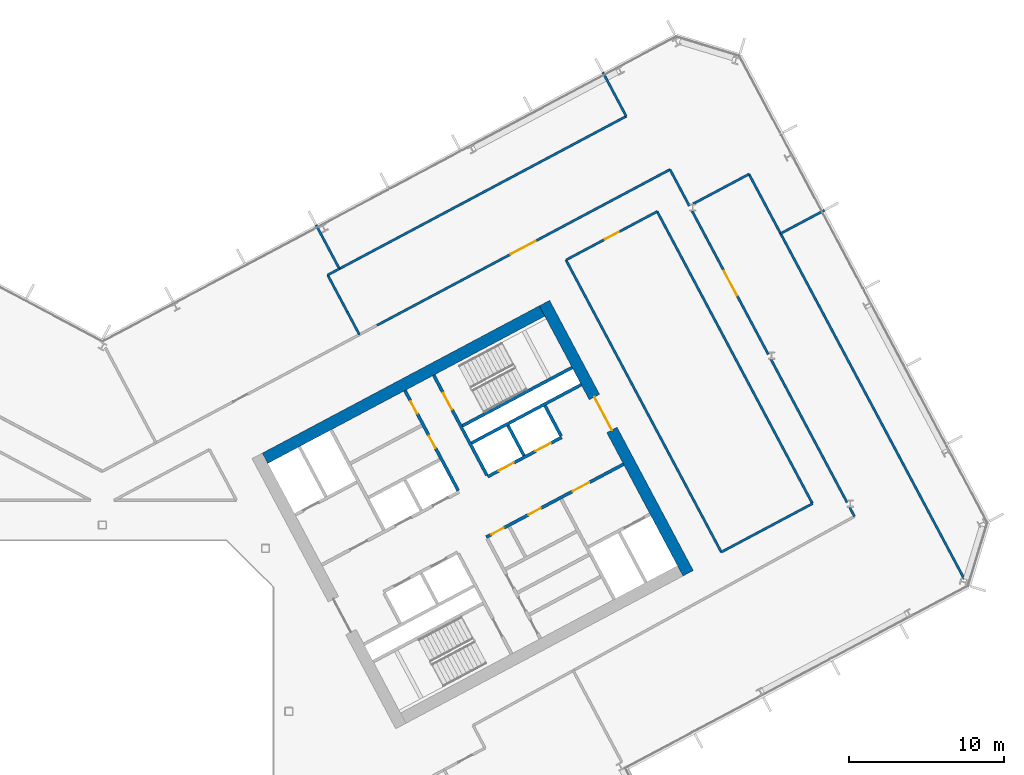
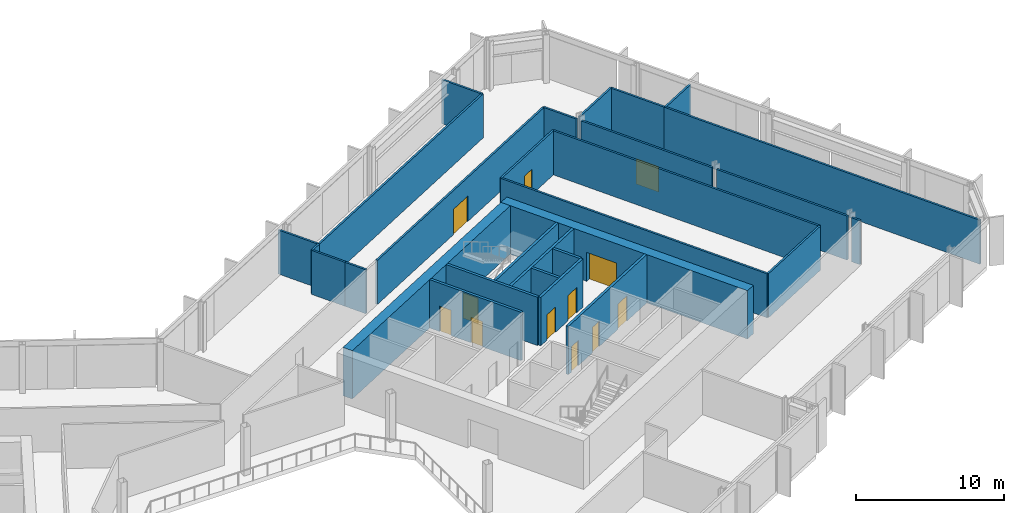
# One storey, part 17 of 28: 29 walls, 12 doors, 12 openings.
"""IFC4 building model written with IfcOpenShell, lengths in metres."""

from ifc_helpers import new_model, si_unit, direction, frame, frame_2d, origin, place, context, subcontext, project, spatial, rectangle, extrude, material, layer, layer_set, type_object, element, fill, save


model = new_model("IFC4")

# Units and contexts
model_context = context("Model", 3, precision=1e-05, world=origin(), true_north=direction((0.0, 1.0)))
body_context = subcontext(model_context, "Body", "Model", "MODEL_VIEW")
ifc_project = project(units=[si_unit("LENGTHUNIT", "METRE"), si_unit("AREAUNIT", "SQUARE_METRE"), si_unit("VOLUMEUNIT", "CUBIC_METRE"), si_unit("PLANEANGLEUNIT", "RADIAN"), si_unit("MASSUNIT", "GRAM", prefix="KILO")], contexts=[model_context])

# Site, building, storey
site_placement = place(None, origin())
site = spatial("IfcSite", under=ifc_project, at=site_placement, CompositionType="ELEMENT")
building_placement = place(site_placement, origin())
building = spatial("IfcBuilding", under=site, at=building_placement, Name="Cormorant Relay Tower", CompositionType="ELEMENT")
storey_placement = place(building_placement, frame((0.0, 0.0, 170.199951171875)))
storey = spatial("IfcBuildingStorey", under=building, at=storey_placement, Name="L36", CompositionType="ELEMENT", Elevation=170.199951171875)

# Wall
ifc_material_1 = material(Name="Concrete 40 MPa", Category="concrete")
ifc_layer_1 = layer(ifc_material_1, 0.199951171875)
ifc_layer_set_1 = layer_set([ifc_layer_1], Name="Core internal wall 200")
wall_type_1 = type_object("IfcWallType", Name="Core internal wall 200", PredefinedType="SOLIDWALL", material=ifc_layer_set_1)
wall_1_placement = place(storey_placement, frame((27.144287109375, 16.471435546875, 0.0), z_axis=(0.0, 0.0, 1.0), x_axis=(-0.469401318492, 0.882984938828, 0.0)))
element("IfcWall", 1, at=wall_1_placement, inside=storey, type_object=wall_type_1, Name="L36 core B shaft and room wall", PredefinedType="SOLIDWALL", context=body_context, shape_type="SweptSolid", body=[
    extrude(rectangle(XDim=2.199951171875, YDim=0.199951171875, at=frame_2d((1.10009765625, 0.0))), origin(), (0.0, 0.0, 1.0), 4.0),
])

# Wall, openings, doors
ifc_material_2 = material(Name="Concrete 50 MPa", Category="concrete")
ifc_layer_2 = layer(ifc_material_2, 0.199951171875)
ifc_layer_set_2 = layer_set([ifc_layer_2], Name="Core shaft wall 200")
wall_type_2 = type_object("IfcWallType", Name="Core shaft wall 200", PredefinedType="SHEAR", material=ifc_layer_set_2)
wall_2_placement = place(storey_placement, frame((22.90625, 14.218017578125, 0.0), z_axis=(0.0, 0.0, 1.0), x_axis=(-0.469480409012, 0.88294288918, 0.0)))
wall_2 = element("IfcWall", 2, at=wall_2_placement, inside=storey, type_object=wall_type_2, Name="L36 core B shaft wall", PredefinedType="SHEAR", context=body_context, shape_type="SweptSolid", body=[
    extrude(rectangle(XDim=7.300048828125, YDim=0.199951171875, at=frame_2d((3.64990234375, 0.0))), origin(), (0.0, 0.0, 1.0), 4.0),
])
opening_1_placement = place(wall_2_placement, frame((3.10009765625, 0.0, 0.0)))
opening_1 = element("IfcOpeningElement", 3, at=opening_1_placement, cuts=wall_2, Name="Opening CDD-215", PredefinedType="OPENING", context=body_context, shape_type="SweptSolid", body=[
    extrude(rectangle(XDim=0.89990234375, YDim=2.10009765625, at=frame_2d((0.449951171875, 1.050048828125))), frame((0.0, 0.10986328125, 0.0), z_axis=(0.0, -1.0, 0.0), x_axis=(1.0, 0.0, 0.0)), (0.0, 0.0, 1.0), 0.219970703125),
])
opening_2_placement = place(wall_2_placement, frame((5.60009765625, 0.0, 0.0)))
opening_2 = element("IfcOpeningElement", 4, at=opening_2_placement, cuts=wall_2, Name="Opening CDD-216", PredefinedType="OPENING", context=body_context, shape_type="SweptSolid", body=[
    extrude(rectangle(XDim=0.89990234375, YDim=2.10009765625, at=frame_2d((0.449951171875, 1.050048828125))), frame((0.0, 0.10986328125, 0.0), z_axis=(0.0, -1.0, 0.0), x_axis=(1.0, 0.0, 0.0)), (0.0, 0.0, 1.0), 0.219970703125),
])
ifc_material_3 = material(Name="Steel fire door", Category="steel")
door_type_1 = type_object("IfcDoorType", Name="Core room door 900x2100", OperationType="SINGLE_SWING_LEFT", PredefinedType="DOOR", material=ifc_material_3)
door_1_placement = place(opening_1_placement, origin())
door_1 = element("IfcDoor", 5, at=door_1_placement, inside=storey, type_object=door_type_1, Name="Core room door 900x2100", OperationType="SINGLE_SWING_RIGHT", OverallHeight=2.10009765625, OverallWidth=0.89990234375, PredefinedType="DOOR", context=body_context, shape_type="SweptSolid", body=[
    extrude(rectangle(XDim=0.89990234375, YDim=2.10009765625, at=frame_2d((0.449951171875, 1.050048828125))), frame((0.0, 0.02490234375, 0.0), z_axis=(0.0, -1.0, 0.0), x_axis=(1.0, 0.0, 0.0)), (0.0, 0.0, 1.0), 0.050048828125),
])
fill(opening_1, door_1)
door_2_placement = place(opening_2_placement, origin())
door_2 = element("IfcDoor", 6, at=door_2_placement, inside=storey, type_object=door_type_1, Name="Core room door 900x2100", OperationType="SINGLE_SWING_LEFT", OverallHeight=2.10009765625, OverallWidth=0.89990234375, PredefinedType="DOOR", context=body_context, shape_type="SweptSolid", body=[
    extrude(rectangle(XDim=0.89990234375, YDim=2.10009765625, at=frame_2d((0.449951171875, 1.050048828125))), frame((0.0, 0.02490234375, 0.0), z_axis=(0.0, -1.0, 0.0), x_axis=(1.0, 0.0, 0.0)), (0.0, 0.0, 1.0), 0.050048828125),
])
fill(opening_2, door_2)

# Wall, opening, door
wall_3_placement = place(storey_placement, frame((24.760498046875, 15.2041015625, 0.0), z_axis=(0.0, 0.0, 1.0), x_axis=(-0.469494272526, 0.882935517501, 0.0)))
wall_3 = element("IfcWall", 7, at=wall_3_placement, inside=storey, type_object=wall_type_2, Name="L36 core B shaft wall", PredefinedType="SHEAR", context=body_context, shape_type="SweptSolid", body=[
    extrude(rectangle(XDim=7.2998046875, YDim=0.199951171875, at=frame_2d((3.64990234375, 0.0))), origin(), (0.0, 0.0, 1.0), 4.0),
])
opening_3_placement = place(wall_3_placement, frame((4.800048828125, 0.0, 0.0)))
opening_3 = element("IfcOpeningElement", 8, at=opening_3_placement, cuts=wall_3, Name="Opening CDB-037", PredefinedType="OPENING", context=body_context, shape_type="SweptSolid", body=[
    extrude(rectangle(XDim=1.199951171875, YDim=2.10009765625, at=frame_2d((0.60009765625, 1.050048828125))), frame((0.0, 0.10986328125, 0.0), z_axis=(0.0, -1.0, 0.0), x_axis=(1.0, 0.0, 0.0)), (0.0, 0.0, 1.0), 0.219970703125),
])
ifc_material_4 = material(Name="Steel fire door", Category="steel")
door_type_2 = type_object("IfcDoorType", Name="Core stair door 1200x2100", OperationType="SINGLE_SWING_LEFT", PredefinedType="DOOR", material=ifc_material_4)
door_3_placement = place(opening_3_placement, frame((1.199951171875, 0.0, 0.0), z_axis=(0.0, 0.0, 1.0), x_axis=(-1.0, 0.0, 0.0)))
door_3 = element("IfcDoor", 9, at=door_3_placement, inside=storey, type_object=door_type_2, Name="Core stair door 1200x2100", OperationType="SINGLE_SWING_RIGHT", OverallHeight=2.10009765625, OverallWidth=1.199951171875, PredefinedType="DOOR", context=body_context, shape_type="SweptSolid", body=[
    extrude(rectangle(XDim=1.199951171875, YDim=2.10009765625, at=frame_2d((0.60009765625, 1.050048828125))), frame((0.0, 0.02490234375, 0.0), z_axis=(0.0, -1.0, 0.0), x_axis=(1.0, 0.0, 0.0)), (0.0, 0.0, 1.0), 0.050048828125),
])
fill(opening_3, door_3)

# Wall
wall_4_placement = place(storey_placement, frame((29.5283203125, 17.739013671875, 0.0), z_axis=(0.0, 0.0, 1.0), x_axis=(-0.469401318492, 0.882984938828, 0.0)))
element("IfcWall", 10, at=wall_4_placement, inside=storey, type_object=wall_type_2, Name="L36 core B shaft wall", PredefinedType="SHEAR", context=body_context, shape_type="SweptSolid", body=[
    extrude(rectangle(XDim=2.199951171875, YDim=0.199951171875, at=frame_2d((1.10009765625, 0.0))), origin(), (0.0, 0.0, 1.0), 4.0),
])

# Wall, openings, doors
wall_5_placement = place(storey_placement, frame((24.72607421875, 11.2216796875, 0.0), z_axis=(0.0, 0.0, 1.0), x_axis=(0.882940221191, 0.469485426614, 0.0)))
wall_5 = element("IfcWall", 11, at=wall_5_placement, inside=storey, type_object=wall_type_2, Name="L36 core B shaft wall", PredefinedType="SHEAR", context=body_context, shape_type="SweptSolid", body=[
    extrude(rectangle(XDim=10.0, YDim=0.199951171875, at=frame_2d((5.0, 0.0))), origin(), (0.0, 0.0, 1.0), 4.0),
])
opening_4_placement = place(wall_5_placement, frame((6.300048828125, 0.0, 0.0)))
opening_4 = element("IfcOpeningElement", 12, at=opening_4_placement, cuts=wall_5, Name="Opening CDC-030", PredefinedType="OPENING", context=body_context, shape_type="SweptSolid", body=[
    extrude(rectangle(XDim=1.199951171875, YDim=2.10009765625, at=frame_2d((0.60009765625, 1.050048828125))), frame((0.0, 0.10986328125, 0.0), z_axis=(0.0, -1.0, 0.0), x_axis=(1.0, 0.0, 0.0)), (0.0, 0.0, 1.0), 0.219970703125),
])
opening_5_placement = place(wall_5_placement, frame((0.360107421875, 0.0, 0.0)))
opening_5 = element("IfcOpeningElement", 13, at=opening_5_placement, cuts=wall_5, Name="Opening CDD-213", PredefinedType="OPENING", context=body_context, shape_type="SweptSolid", body=[
    extrude(rectangle(XDim=0.89990234375, YDim=2.10009765625, at=frame_2d((0.449951171875, 1.050048828125))), frame((0.0, 0.10986328125, 0.0), z_axis=(0.0, -1.0, 0.0), x_axis=(1.0, 0.0, 0.0)), (0.0, 0.0, 1.0), 0.219970703125),
])
opening_6_placement = place(wall_5_placement, frame((3.06005859375, 0.0, 0.0)))
opening_6 = element("IfcOpeningElement", 14, at=opening_6_placement, cuts=wall_5, Name="Opening CDD-214", PredefinedType="OPENING", context=body_context, shape_type="SweptSolid", body=[
    extrude(rectangle(XDim=0.89990234375, YDim=2.10009765625, at=frame_2d((0.449951171875, 1.050048828125))), frame((0.0, 0.10986328125, 0.0), z_axis=(0.0, -1.0, 0.0), x_axis=(1.0, 0.0, 0.0)), (0.0, 0.0, 1.0), 0.219970703125),
])
ifc_material_5 = material(Name="Steel fire door", Category="steel")
door_type_3 = type_object("IfcDoorType", Name="Core lobby door 1200x2100", OperationType="SINGLE_SWING_LEFT", PredefinedType="DOOR", material=ifc_material_5)
door_4_placement = place(opening_4_placement, origin())
door_4 = element("IfcDoor", 15, at=door_4_placement, inside=storey, type_object=door_type_3, Name="Core lobby door 1200x2100", OperationType="SINGLE_SWING_LEFT", OverallHeight=2.10009765625, OverallWidth=1.199951171875, PredefinedType="DOOR", context=body_context, shape_type="SweptSolid", body=[
    extrude(rectangle(XDim=1.199951171875, YDim=2.10009765625, at=frame_2d((0.60009765625, 1.050048828125))), frame((0.0, 0.02490234375, 0.0), z_axis=(0.0, -1.0, 0.0), x_axis=(1.0, 0.0, 0.0)), (0.0, 0.0, 1.0), 0.050048828125),
])
fill(opening_4, door_4)
door_5_placement = place(opening_5_placement, origin())
door_5 = element("IfcDoor", 16, at=door_5_placement, inside=storey, type_object=door_type_1, Name="Core room door 900x2100", OperationType="SINGLE_SWING_LEFT", OverallHeight=2.10009765625, OverallWidth=0.89990234375, PredefinedType="DOOR", context=body_context, shape_type="SweptSolid", body=[
    extrude(rectangle(XDim=0.89990234375, YDim=2.10009765625, at=frame_2d((0.449951171875, 1.050048828125))), frame((0.0, 0.02490234375, 0.0), z_axis=(0.0, -1.0, 0.0), x_axis=(1.0, 0.0, 0.0)), (0.0, 0.0, 1.0), 0.050048828125),
])
fill(opening_5, door_5)
door_6_placement = place(opening_6_placement, origin())
door_6 = element("IfcDoor", 17, at=door_6_placement, inside=storey, type_object=door_type_1, Name="Core room door 900x2100", OperationType="SINGLE_SWING_LEFT", OverallHeight=2.10009765625, OverallWidth=0.89990234375, PredefinedType="DOOR", context=body_context, shape_type="SweptSolid", body=[
    extrude(rectangle(XDim=0.89990234375, YDim=2.10009765625, at=frame_2d((0.449951171875, 1.050048828125))), frame((0.0, 0.02490234375, 0.0), z_axis=(0.0, -1.0, 0.0), x_axis=(1.0, 0.0, 0.0)), (0.0, 0.0, 1.0), 0.050048828125),
])
fill(opening_6, door_6)

wall_6_placement = place(storey_placement, frame((24.807373046875, 15.11572265625, 0.0), z_axis=(0.0, 0.0, 1.0), x_axis=(0.882942972946, 0.469480251476, 0.0)))
wall_6 = element("IfcWall", 18, at=wall_6_placement, inside=storey, type_object=wall_type_2, Name="L36 core B shaft wall", PredefinedType="SHEAR", context=body_context, shape_type="SweptSolid", body=[
    extrude(rectangle(XDim=5.39990234375, YDim=0.199951171875, at=frame_2d((2.699951171875, 0.0))), origin(), (0.0, 0.0, 1.0), 4.0),
])
opening_7_placement = place(wall_6_placement, frame((0.800048828125, 0.0, 0.0)))
opening_7 = element("IfcOpeningElement", 19, at=opening_7_placement, cuts=wall_6, Name="Opening LD1-046", PredefinedType="OPENING", context=body_context, shape_type="SweptSolid", body=[
    extrude(rectangle(XDim=1.10009765625, YDim=2.10009765625, at=frame_2d((0.550048828125, 1.050048828125))), frame((0.0, 0.10986328125, 0.0), z_axis=(0.0, -1.0, 0.0), x_axis=(1.0, 0.0, 0.0)), (0.0, 0.0, 1.0), 0.219970703125),
])
opening_8_placement = place(wall_6_placement, frame((3.5, 0.0, 0.0)))
opening_8 = element("IfcOpeningElement", 20, at=opening_8_placement, cuts=wall_6, Name="Opening LD1-047", PredefinedType="OPENING", context=body_context, shape_type="SweptSolid", body=[
    extrude(rectangle(XDim=1.10009765625, YDim=2.10009765625, at=frame_2d((0.550048828125, 1.050048828125))), frame((0.0, 0.10986328125, 0.0), z_axis=(0.0, -1.0, 0.0), x_axis=(1.0, 0.0, 0.0)), (0.0, 0.0, 1.0), 0.219970703125),
])
ifc_material_6 = material(Name="Stainless steel 316", Category="steel")
door_type_4 = type_object("IfcDoorType", Name="Lift landing door 1100x2100", OperationType="DOUBLE_DOOR_SLIDING", PredefinedType="DOOR", material=ifc_material_6)
door_7_placement = place(opening_7_placement, origin())
door_7 = element("IfcDoor", 21, at=door_7_placement, inside=storey, type_object=door_type_4, Name="LR3 landing door", OperationType="DOUBLE_DOOR_SLIDING", OverallHeight=2.10009765625, OverallWidth=1.10009765625, PredefinedType="DOOR", context=body_context, shape_type="SweptSolid", body=[
    extrude(rectangle(XDim=1.10009765625, YDim=2.10009765625, at=frame_2d((0.550048828125, 1.050048828125))), frame((0.0, 0.02490234375, 0.0), z_axis=(0.0, -1.0, 0.0), x_axis=(1.0, 0.0, 0.0)), (0.0, 0.0, 1.0), 0.050048828125),
])
fill(opening_7, door_7)
door_8_placement = place(opening_8_placement, origin())
door_8 = element("IfcDoor", 22, at=door_8_placement, inside=storey, type_object=door_type_4, Name="LR4 landing door", OperationType="DOUBLE_DOOR_SLIDING", OverallHeight=2.10009765625, OverallWidth=1.10009765625, PredefinedType="DOOR", context=body_context, shape_type="SweptSolid", body=[
    extrude(rectangle(XDim=1.10009765625, YDim=2.10009765625, at=frame_2d((0.550048828125, 1.050048828125))), frame((0.0, 0.02490234375, 0.0), z_axis=(0.0, -1.0, 0.0), x_axis=(1.0, 0.0, 0.0)), (0.0, 0.0, 1.0), 0.050048828125),
])
fill(opening_8, door_8)

# Walls
wall_7_placement = place(storey_placement, frame((23.76904296875, 17.28173828125, 0.0), z_axis=(0.0, 0.0, 1.0), x_axis=(0.882940221191, 0.469485426614, 0.0)))
element("IfcWall", 23, at=wall_7_placement, inside=storey, type_object=wall_type_2, Name="L36 core B shaft wall", PredefinedType="SHEAR", context=body_context, shape_type="SweptSolid", body=[
    extrude(rectangle(XDim=8.0, YDim=0.199951171875, at=frame_2d((4.0, 0.0))), origin(), (0.0, 0.0, 1.0), 4.0),
])
wall_8_placement = place(storey_placement, frame((23.18212890625, 18.385498046875, 0.0), z_axis=(0.0, 0.0, 1.0), x_axis=(0.88295287151, 0.469461634952, 0.0)))
element("IfcWall", 24, at=wall_8_placement, inside=storey, type_object=wall_type_2, Name="L36 core B shaft wall", PredefinedType="SHEAR", context=body_context, shape_type="SweptSolid", body=[
    extrude(rectangle(XDim=7.999755859375, YDim=0.199951171875, at=frame_2d((4.0, 0.0))), origin(), (0.0, 0.0, 1.0), 4.0),
])

# Wall, opening, door
ifc_material_7 = material(Name="Concrete 60 MPa", Category="concrete")
ifc_layer_3 = layer(ifc_material_7, 0.75)
ifc_layer_set_3 = layer_set([ifc_layer_3], Name="Core wall 750")
wall_type_3 = type_object("IfcWallType", Name="Core wall 750", PredefinedType="SHEAR", material=ifc_layer_set_3)
wall_9_placement = place(storey_placement, frame((37.712646484375, 8.896484375, 0.0), z_axis=(0.0, 0.0, 1.0), x_axis=(-0.469469918705, 0.88294846703, 0.0)))
wall_9 = element("IfcWall", 25, at=wall_9_placement, inside=storey, type_object=wall_type_3, Name="L36 core B wall", PredefinedType="SHEAR", context=body_context, shape_type="SweptSolid", body=[
    extrude(rectangle(XDim=19.699951171875, YDim=0.75, at=frame_2d((9.85009765625, 0.0))), origin(), (0.0, 0.0, 1.0), 4.0),
])
opening_9_placement = place(wall_9_placement, frame((10.449951171875, 0.0, 0.0)))
opening_9 = element("IfcOpeningElement", 26, at=opening_9_placement, cuts=wall_9, Name="Opening CDA-029", PredefinedType="OPENING", context=body_context, shape_type="SweptSolid", body=[
    extrude(rectangle(XDim=2.39990234375, YDim=2.39990234375, at=frame_2d((1.199951171875, 1.199951171875))), frame((0.0, 0.385009765625, 0.0), z_axis=(0.0, -1.0, 0.0), x_axis=(1.0, 0.0, 0.0)), (0.0, 0.0, 1.0), 0.77001953125),
])
ifc_material_8 = material(Name="Steel fire door", Category="steel")
door_type_5 = type_object("IfcDoorType", Name="Core lobby door 2400x2400", OperationType="DOUBLE_DOOR_SINGLE_SWING", PredefinedType="DOOR", material=ifc_material_8)
door_9_placement = place(opening_9_placement, origin())
door_9 = element("IfcDoor", 27, at=door_9_placement, inside=storey, type_object=door_type_5, Name="Core lobby door 2400x2400", OperationType="DOUBLE_DOOR_SINGLE_SWING", OverallHeight=2.39990234375, OverallWidth=2.39990234375, PredefinedType="DOOR", context=body_context, shape_type="SweptSolid", body=[
    extrude(rectangle(XDim=2.39990234375, YDim=2.39990234375, at=frame_2d((1.199951171875, 1.199951171875))), frame((0.0, 0.02490234375, 0.0), z_axis=(0.0, -1.0, 0.0), x_axis=(1.0, 0.0, 0.0)), (0.0, 0.0, 1.0), 0.050048828125),
])
fill(opening_9, door_9)

# Walls
wall_10_placement = place(storey_placement, frame((10.4736328125, 16.300048828125, 0.0), z_axis=(0.0, 0.0, 1.0), x_axis=(0.88295010195, 0.469466843842, 0.0)))
element("IfcWall", 28, at=wall_10_placement, inside=storey, type_object=wall_type_3, Name="L36 core B wall", PredefinedType="SHEAR", context=body_context, shape_type="SweptSolid", body=[
    extrude(rectangle(XDim=20.199951171875, YDim=0.75, at=frame_2d((10.10009765625, 0.0))), origin(), (0.0, 0.0, 1.0), 4.0),
])
ifc_material_9 = material(Name="Gypsum board fire partition")
ifc_layer_4 = layer(ifc_material_9, 0.14990234375)
ifc_layer_set_4 = layer_set([ifc_layer_4], Name="Corridor partition 150 EI 60")
wall_type_4 = type_object("IfcWallType", Name="Corridor partition 150 EI 60", PredefinedType="PARTITIONING", material=ifc_layer_set_4)
wall_11_placement = place(storey_placement, frame((37.7890625, 32.555908203125, 0.0), z_axis=(0.0, 0.0, 1.0), x_axis=(-0.469764435481, 0.882791807369, 0.0)))
element("IfcWall", 29, at=wall_11_placement, inside=storey, type_object=wall_type_4, Name="wall/L36/part/062", PredefinedType="PARTITIONING", context=body_context, shape_type="SweptSolid", body=[
    extrude(rectangle(XDim=2.646240234375, YDim=0.14990234375, at=frame_2d((1.3232421875, 0.0))), origin(), (0.0, 0.0, 1.0), 3.64013671875),
])

# Wall, opening, door
wall_12_placement = place(storey_placement, frame((17.677001953125, 24.85888671875, 0.0), z_axis=(0.0, 0.0, 1.0), x_axis=(0.882951785412, 0.469463677655, 0.0)))
wall_12 = element("IfcWall", 30, at=wall_12_placement, inside=storey, type_object=wall_type_4, Name="wall/L36/part/063", PredefinedType="PARTITIONING", context=body_context, shape_type="SweptSolid", body=[
    extrude(rectangle(XDim=21.37158203125, YDim=0.14990234375, at=frame_2d((10.685791015625, 0.0))), origin(), (0.0, 0.0, 1.0), 3.64013671875),
])
opening_10_placement = place(wall_12_placement, frame((9.75, 0.0, 0.0)))
opening_10 = element("IfcOpeningElement", 31, at=opening_10_placement, cuts=wall_12, Name="Opening DD-016", PredefinedType="OPENING", context=body_context, shape_type="SweptSolid", body=[
    extrude(rectangle(XDim=1.800048828125, YDim=2.10009765625, at=frame_2d((0.89990234375, 1.050048828125))), frame((0.0, 0.0849609375, 0.0), z_axis=(0.0, -1.0, 0.0), x_axis=(1.0, 0.0, 0.0)), (0.0, 0.0, 1.0), 0.169921875),
])
ifc_material_10 = material(Name="Timber door leaf", Category="wood")
door_type_6 = type_object("IfcDoorType", Name="Suite double door 1800x2100", OperationType="DOUBLE_DOOR_SINGLE_SWING", PredefinedType="DOOR", material=ifc_material_10)
door_10_placement = place(opening_10_placement, origin())
door_10 = element("IfcDoor", 32, at=door_10_placement, inside=storey, type_object=door_type_6, Name="door/L36/006", OperationType="DOUBLE_DOOR_SINGLE_SWING", OverallHeight=2.10009765625, OverallWidth=1.800048828125, PredefinedType="DOOR", context=body_context, shape_type="SweptSolid", body=[
    extrude(rectangle(XDim=1.800048828125, YDim=2.10009765625, at=frame_2d((0.89990234375, 1.050048828125))), frame((0.0, 0.02490234375, 0.0), z_axis=(0.0, -1.0, 0.0), x_axis=(1.0, 0.0, 0.0)), (0.0, 0.0, 1.0), 0.050048828125),
])
fill(opening_10, door_10)

wall_13_placement = place(storey_placement, frame((37.97412109375, 32.208984375, 0.0), z_axis=(0.0, 0.0, 1.0), x_axis=(0.469434985691, -0.882967040274, 0.0)))
wall_13 = element("IfcWall", 33, at=wall_13_placement, inside=storey, type_object=wall_type_4, Name="wall/L36/part/068", PredefinedType="PARTITIONING", context=body_context, shape_type="SweptSolid", body=[
    extrude(rectangle(XDim=10.442138671875, YDim=0.14990234375, at=frame_2d((5.22119140625, 0.0))), origin(), (0.0, 0.0, 1.0), 3.64013671875),
])
opening_11_placement = place(wall_13_placement, frame((4.35107421875, 0.0, 0.0)))
opening_11 = element("IfcOpeningElement", 34, at=opening_11_placement, cuts=wall_13, Name="Opening DD-015", PredefinedType="OPENING", context=body_context, shape_type="SweptSolid", body=[
    extrude(rectangle(XDim=1.800048828125, YDim=2.10009765625, at=frame_2d((0.89990234375, 1.050048828125))), frame((0.0, 0.0849609375, 0.0), z_axis=(0.0, -1.0, 0.0), x_axis=(1.0, 0.0, 0.0)), (0.0, 0.0, 1.0), 0.169921875),
])
door_11_placement = place(opening_11_placement, origin())
door_11 = element("IfcDoor", 35, at=door_11_placement, inside=storey, type_object=door_type_6, Name="door/L36/005", OperationType="DOUBLE_DOOR_SINGLE_SWING", OverallHeight=2.10009765625, OverallWidth=1.800048828125, PredefinedType="DOOR", context=body_context, shape_type="SweptSolid", body=[
    extrude(rectangle(XDim=1.800048828125, YDim=2.10009765625, at=frame_2d((0.89990234375, 1.050048828125))), frame((0.0, 0.02490234375, 0.0), z_axis=(0.0, -1.0, 0.0), x_axis=(1.0, 0.0, 0.0)), (0.0, 0.0, 1.0), 0.050048828125),
])
fill(opening_11, door_11)

# Walls
wall_14_placement = place(storey_placement, frame((43.0439453125, 22.672119140625, 0.0), z_axis=(0.0, 0.0, 1.0), x_axis=(0.469530755038, -0.882916117235, 0.0)))
element("IfcWall", 36, at=wall_14_placement, inside=storey, type_object=wall_type_4, Name="wall/L36/part/069", PredefinedType="PARTITIONING", context=body_context, shape_type="SweptSolid", body=[
    extrude(rectangle(XDim=10.4404296875, YDim=0.14990234375, at=frame_2d((5.22021484375, 0.0))), origin(), (0.0, 0.0, 1.0), 3.64013671875),
])
wall_15_placement = place(storey_placement, frame((48.114990234375, 13.135986328125, 0.0), z_axis=(0.0, 0.0, 1.0), x_axis=(0.469551655302, -0.882905002253, 0.0)))
element("IfcWall", 37, at=wall_15_placement, inside=storey, type_object=wall_type_4, Name="wall/L36/part/070", PredefinedType="PARTITIONING", context=body_context, shape_type="SweptSolid", body=[
    extrude(rectangle(XDim=0.660400390625, YDim=0.14990234375, at=frame_2d((0.330078125, 0.0))), origin(), (0.0, 0.0, 1.0), 3.64013671875),
])

# Wall, opening, door
wall_16_placement = place(storey_placement, frame((29.84912109375, 29.06494140625, 0.0), z_axis=(0.0, 0.0, 1.0), x_axis=(0.882917406039, 0.469528331535, 0.0)))
wall_16 = element("IfcWall", 38, at=wall_16_placement, inside=storey, type_object=wall_type_4, Name="wall/L36/part/085", PredefinedType="PARTITIONING", context=body_context, shape_type="SweptSolid", body=[
    extrude(rectangle(XDim=6.6494140625, YDim=0.14990234375, at=frame_2d((3.32470703125, 0.0))), origin(), (0.0, 0.0, 1.0), 3.64013671875),
])
opening_12_placement = place(wall_16_placement, frame((2.85009765625, 0.0, 0.0)))
opening_12 = element("IfcOpeningElement", 39, at=opening_12_placement, cuts=wall_16, Name="Opening DS-072", PredefinedType="OPENING", context=body_context, shape_type="SweptSolid", body=[
    extrude(rectangle(XDim=1.0, YDim=2.10009765625, at=frame_2d((0.5, 1.050048828125))), frame((0.0, 0.0849609375, 0.0), z_axis=(0.0, -1.0, 0.0), x_axis=(1.0, 0.0, 0.0)), (0.0, 0.0, 1.0), 0.169921875),
])
ifc_material_11 = material(Name="Timber door leaf", Category="wood")
door_type_7 = type_object("IfcDoorType", Name="Suite door 1000x2100", OperationType="SINGLE_SWING_LEFT", PredefinedType="DOOR", material=ifc_material_11)
door_12_placement = place(opening_12_placement, origin())
door_12 = element("IfcDoor", 40, at=door_12_placement, inside=storey, type_object=door_type_7, Name="door/L36/020", OperationType="SINGLE_SWING_LEFT", OverallHeight=2.10009765625, OverallWidth=1.0, PredefinedType="DOOR", context=body_context, shape_type="SweptSolid", body=[
    extrude(rectangle(XDim=1.0, YDim=2.10009765625, at=frame_2d((0.5, 1.050048828125))), frame((0.0, 0.02490234375, 0.0), z_axis=(0.0, -1.0, 0.0), x_axis=(1.0, 0.0, 0.0)), (0.0, 0.0, 1.0), 0.050048828125),
])
fill(opening_12, door_12)

# Walls
wall_17_placement = place(storey_placement, frame((35.719970703125, 32.18701171875, 0.0), z_axis=(0.0, 0.0, 1.0), x_axis=(0.469474204504, -0.882946188227, 0.0)))
element("IfcWall", 41, at=wall_17_placement, inside=storey, type_object=wall_type_4, Name="wall/L36/part/086", PredefinedType="PARTITIONING", context=body_context, shape_type="SweptSolid", body=[
    extrude(rectangle(XDim=21.300537109375, YDim=0.14990234375, at=frame_2d((10.650390625, 0.0))), origin(), (0.0, 0.0, 1.0), 3.64013671875),
])
wall_18_placement = place(storey_placement, frame((45.719970703125, 13.3798828125, 0.0), z_axis=(0.0, 0.0, 1.0), x_axis=(-0.882973084513, -0.469423616817, 0.0)))
element("IfcWall", 42, at=wall_18_placement, inside=storey, type_object=wall_type_4, Name="wall/L36/part/087", PredefinedType="PARTITIONING", context=body_context, shape_type="SweptSolid", body=[
    extrude(rectangle(XDim=6.650390625, YDim=0.14990234375, at=frame_2d((3.3251953125, 0.0))), origin(), (0.0, 0.0, 1.0), 3.64013671875),
])
wall_19_placement = place(storey_placement, frame((39.847900390625, 10.258056640625, 0.0), z_axis=(0.0, 0.0, 1.0), x_axis=(-0.469434276041, 0.882967417563, 0.0)))
element("IfcWall", 43, at=wall_19_placement, inside=storey, type_object=wall_type_4, Name="wall/L36/part/088", PredefinedType="PARTITIONING", context=body_context, shape_type="SweptSolid", body=[
    extrude(rectangle(XDim=21.299560546875, YDim=0.14990234375, at=frame_2d((10.64990234375, 0.0))), origin(), (0.0, 0.0, 1.0), 3.64013671875),
])
ifc_material_12 = material(Name="Gypsum board partition")
ifc_layer_5 = layer(ifc_material_12, 0.14990234375)
ifc_layer_set_5 = layer_set([ifc_layer_5], Name="Tenant partition 150")
wall_type_5 = type_object("IfcWallType", Name="Tenant partition 150", PredefinedType="PARTITIONING", material=ifc_layer_set_5)
wall_20_placement = place(storey_placement, frame((15.760986328125, 25.739013671875, 0.0), z_axis=(0.0, 0.0, 1.0), x_axis=(0.469318416257, -0.883029005278, 0.0)))
element("IfcWall", 44, at=wall_20_placement, inside=storey, type_object=wall_type_5, Name="wall/L36/part/049", PredefinedType="PARTITIONING", context=body_context, shape_type="SweptSolid", body=[
    extrude(rectangle(XDim=1.67724609375, YDim=0.14990234375, at=frame_2d((0.838623046875, 0.0))), origin(), (0.0, 0.0, 1.0), 3.64013671875),
])
wall_21_placement = place(storey_placement, frame((13.757080078125, 31.324951171875, 0.0), z_axis=(0.0, 0.0, 1.0), x_axis=(0.469685095616, -0.882834022315, 0.0)))
element("IfcWall", 45, at=wall_21_placement, inside=storey, type_object=wall_type_5, Name="wall/L36/part/057", PredefinedType="PARTITIONING", context=body_context, shape_type="SweptSolid", body=[
    extrude(rectangle(XDim=3.199951171875, YDim=0.14990234375, at=frame_2d((1.60009765625, 0.0))), origin(), (0.0, 0.0, 1.0), 3.64013671875),
])
wall_22_placement = place(storey_placement, frame((15.258056640625, 28.4990234375, 0.0), z_axis=(0.0, 0.0, 1.0), x_axis=(0.882939918194, 0.469485996447, 0.0)))
element("IfcWall", 46, at=wall_22_placement, inside=storey, type_object=wall_type_5, Name="wall/L36/part/058", PredefinedType="PARTITIONING", context=body_context, shape_type="SweptSolid", body=[
    extrude(rectangle(XDim=20.918701171875, YDim=0.14990234375, at=frame_2d((10.45947265625, 0.0))), origin(), (0.0, 0.0, 1.0), 3.64013671875),
])
wall_23_placement = place(storey_placement, frame((33.72802734375, 38.320068359375, 0.0), z_axis=(0.0, 0.0, 1.0), x_axis=(-0.469320691295, 0.883027796121, 0.0)))
element("IfcWall", 47, at=wall_23_placement, inside=storey, type_object=wall_type_5, Name="wall/L36/part/059", PredefinedType="PARTITIONING", context=body_context, shape_type="SweptSolid", body=[
    extrude(rectangle(XDim=3.2001953125, YDim=0.14990234375, at=frame_2d((1.60009765625, 0.0))), origin(), (0.0, 0.0, 1.0), 3.64013671875),
])
wall_24_placement = place(storey_placement, frame((15.760986328125, 25.739013671875, 0.0), z_axis=(0.0, 0.0, 1.0), x_axis=(-0.469469065188, 0.882948920851, 0.0)))
element("IfcWall", 48, at=wall_24_placement, inside=storey, type_object=wall_type_5, Name="wall/L36/part/060", PredefinedType="PARTITIONING", context=body_context, shape_type="SweptSolid", body=[
    extrude(rectangle(XDim=2.673095703125, YDim=0.14990234375, at=frame_2d((1.33642578125, 0.0))), origin(), (0.0, 0.0, 1.0), 3.64013671875),
])
wall_25_placement = place(storey_placement, frame((14.506103515625, 28.09912109375, 0.0), z_axis=(0.0, 0.0, 1.0), x_axis=(0.882907789101, 0.469546415113, 0.0)))
element("IfcWall", 49, at=wall_25_placement, inside=storey, type_object=wall_type_5, Name="wall/L36/part/061", PredefinedType="PARTITIONING", context=body_context, shape_type="SweptSolid", body=[
    extrude(rectangle(XDim=0.8515625, YDim=0.14990234375, at=frame_2d((0.42578125, 0.0))), origin(), (0.0, 0.0, 1.0), 3.64013671875),
])
wall_26_placement = place(storey_placement, frame((43.64111328125, 30.81689453125, 0.0), z_axis=(0.0, 0.0, 1.0), x_axis=(-0.469601615988, 0.882878430058, 0.0)))
element("IfcWall", 50, at=wall_26_placement, inside=storey, type_object=wall_type_5, Name="wall/L36/part/072", PredefinedType="PARTITIONING", context=body_context, shape_type="SweptSolid", body=[
    extrude(rectangle(XDim=4.278076171875, YDim=0.14990234375, at=frame_2d((2.13916015625, 0.0))), origin(), (0.0, 0.0, 1.0), 3.64013671875),
])
wall_27_placement = place(storey_placement, frame((41.632080078125, 34.593994140625, 0.0), z_axis=(0.0, 0.0, 1.0), x_axis=(-0.88295491585, -0.469457789984, 0.0)))
element("IfcWall", 51, at=wall_27_placement, inside=storey, type_object=wall_type_5, Name="wall/L36/part/073", PredefinedType="PARTITIONING", context=body_context, shape_type="SweptSolid", body=[
    extrude(rectangle(XDim=4.0703125, YDim=0.14990234375, at=frame_2d((2.03515625, 0.0))), origin(), (0.0, 0.0, 1.0), 3.64013671875),
])
wall_28_placement = place(storey_placement, frame((43.64111328125, 30.81689453125, 0.0), z_axis=(0.0, 0.0, 1.0), x_axis=(0.469460355779, -0.882953551639, 0.0)))
element("IfcWall", 52, at=wall_28_placement, inside=storey, type_object=wall_type_5, Name="wall/L36/part/074", PredefinedType="PARTITIONING", context=body_context, shape_type="SweptSolid", body=[
    extrude(rectangle(XDim=25.23095703125, YDim=0.14990234375, at=frame_2d((12.615478515625, 0.0))), origin(), (0.0, 0.0, 1.0), 3.64013671875),
])
wall_29_placement = place(storey_placement, frame((46.491943359375, 32.27001953125, 0.0), z_axis=(0.0, 0.0, 1.0), x_axis=(-0.883027796121, -0.469320691295, 0.0)))
element("IfcWall", 53, at=wall_29_placement, inside=storey, type_object=wall_type_5, Name="wall/L36/part/075", PredefinedType="PARTITIONING", context=body_context, shape_type="SweptSolid", body=[
    extrude(rectangle(XDim=3.2001953125, YDim=0.14990234375, at=frame_2d((1.60009765625, 0.0))), origin(), (0.0, 0.0, 1.0), 3.64013671875),
])

save(model, "model.ifc")
